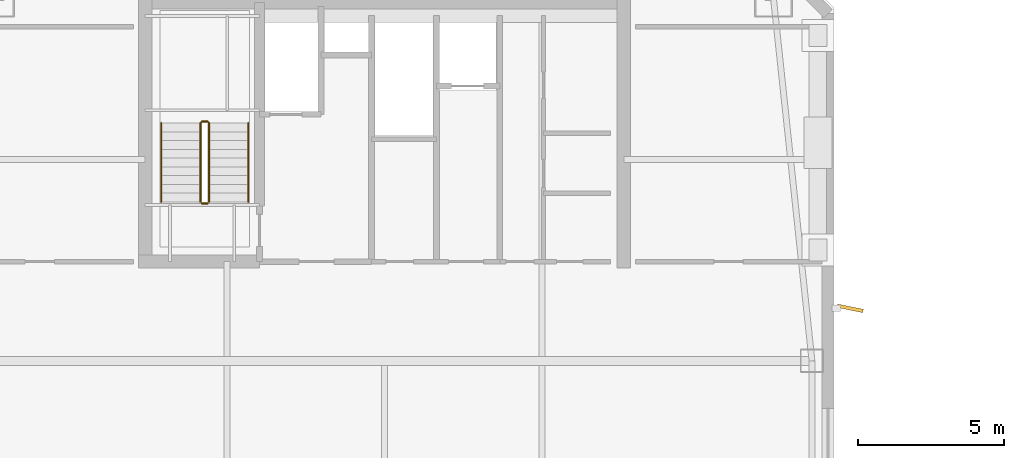
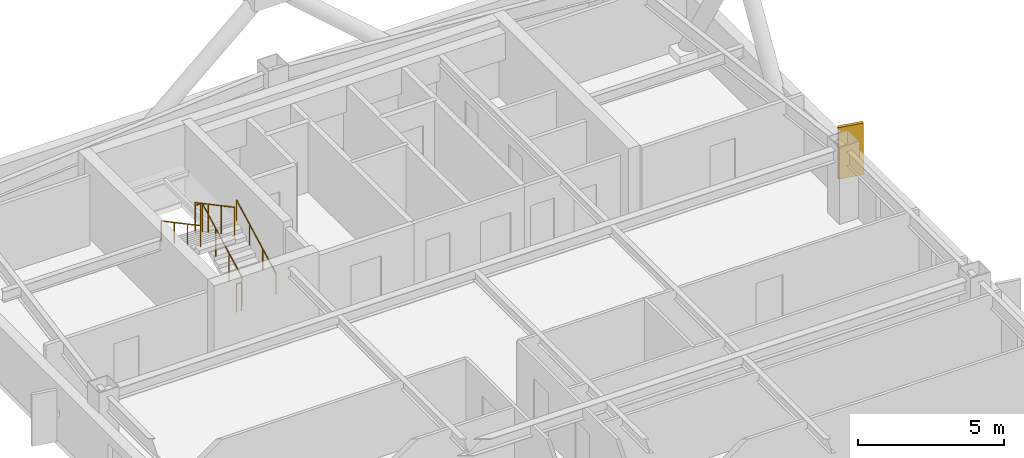
# One storey, part 16 of 18: 6 railings, 1 shading device.
"""IFC4 building model written with IfcOpenShell, lengths in metres."""

import ifcopenshell
import ifcopenshell.guid

model = None  # the IFC model being written
_history = None  # IfcOwnerHistory: only IFC2X3 demands one
_inside = {}  # id of a spatial element -> (the spatial element, [elements in it])
_under = {}  # id of a project, library or spatial element -> (it, [spatial elements below it])
_declared = {}  # id of a project -> (the project, [libraries it declares])
_typed = {}  # id of a type object -> (the type object, [elements of that type])
_made_of = {}  # id of a material, layer set ... -> (it, [elements and type objects made of it])


def new_model(schema):
    """Start an empty IFC model of exactly this schema.

    Asked for "IFC4X3", IfcOpenShell would pick the latest addendum, in which some entities
    have other attributes; the version numbers below select the first issue.
    IFC2X3 requires an IfcOwnerHistory on every rooted entity: one is made here for all.
    """
    global model, _history
    if schema == "IFC4X3":
        model = ifcopenshell.file(schema_version=(4, 3, 0, 0))
    else:
        model = ifcopenshell.file(schema=schema)
    _inside.clear()
    _under.clear()
    _declared.clear()
    _typed.clear()
    _made_of.clear()
    _history = None
    if model.schema == "IFC2X3":
        org = make("IfcOrganization", Name="unknown")
        user = make(
            "IfcPersonAndOrganization",
            ThePerson=make("IfcPerson", FamilyName="unknown"),
            TheOrganization=org,
        )
        app = make(
            "IfcApplication",
            ApplicationDeveloper=org,
            Version="unknown",
            ApplicationFullName="unknown",
            ApplicationIdentifier="unknown",
        )
        _history = make(
            "IfcOwnerHistory",
            OwningUser=user,
            OwningApplication=app,
            ChangeAction="ADDED",
            CreationDate=0,
        )
    return model


def make(cls, **values):
    """One entity of the class cls with the attributes given. An attribute that is None is left unset."""
    return model.create_entity(
        cls, **{name: value for name, value in values.items() if value is not None}
    )


def rooted(cls, **values):
    """An entity with a GlobalId (a new one), such as an element, a storey or a relation."""
    return make(cls, GlobalId=ifcopenshell.guid.new(), OwnerHistory=_history, **values)


def si_unit(unit_type, name, prefix=None):
    """IfcSIUnit, for example si_unit("LENGTHUNIT", "METRE", prefix="MILLI")."""
    return make("IfcSIUnit", UnitType=unit_type, Prefix=prefix, Name=name)


def assignment(units):
    """IfcUnitAssignment: the units of a project."""
    return None if units is None else make("IfcUnitAssignment", Units=units)


def point(xyz):
    """IfcCartesianPoint."""
    return None if xyz is None else make("IfcCartesianPoint", Coordinates=xyz)


def direction(xyz):
    """IfcDirection."""
    return None if xyz is None else make("IfcDirection", DirectionRatios=xyz)


def frame(location, z_axis=None, x_axis=None):
    """IfcAxis2Placement3D, a coordinate frame: its origin and axes. An axis left out is left unset."""
    return make(
        "IfcAxis2Placement3D",
        Location=point(location),
        Axis=direction(z_axis),
        RefDirection=direction(x_axis),
    )


def frame_2d(location, x_axis=None):
    """IfcAxis2Placement2D, a coordinate frame in the plane: its origin and x axis."""
    return make(
        "IfcAxis2Placement2D", Location=point(location), RefDirection=direction(x_axis)
    )


def origin():
    """The frame at (0, 0, 0) with its axes left unset."""
    return frame((0.0, 0.0, 0.0))


def origin_2d():
    """The frame at (0, 0) in the plane with its x axis left unset."""
    return frame_2d((0.0, 0.0))


def place(relative_to, where):
    """IfcLocalPlacement: puts the frame where relative to a parent placement (None: the world)."""
    return make(
        "IfcLocalPlacement", PlacementRelTo=relative_to, RelativePlacement=where
    )


def context(
    kind, dimensions, precision=None, world=None, true_north=None, identifier=None
):
    """IfcGeometricRepresentationContext, for example the 3D "Model" context."""
    return make(
        "IfcGeometricRepresentationContext",
        ContextIdentifier=identifier,
        ContextType=kind,
        CoordinateSpaceDimension=dimensions,
        Precision=precision,
        WorldCoordinateSystem=world,
        TrueNorth=true_north,
    )


def subcontext(parent, identifier, kind, view, scale=None):
    """IfcGeometricRepresentationSubContext, for example "Body" below "Model"."""
    return make(
        "IfcGeometricRepresentationSubContext",
        ContextIdentifier=identifier,
        ContextType=kind,
        ParentContext=parent,
        TargetScale=scale,
        TargetView=view,
    )


def project(units=None, contexts=None):
    """IfcProject with its units and contexts."""
    return rooted(
        "IfcProject",
        Name="project",
        RepresentationContexts=contexts,
        UnitsInContext=assignment(units),
    )


def spatial(cls, under=None, at=None, **own):
    """A site, building, storey or space (cls), placed at a placement, below another one or the project."""
    s = rooted(cls, ObjectPlacement=at, **own)
    if under is not None:
        _under.setdefault(under.id(), (under, []))[1].append(s)
    return s


def profile(cls, at=None, kind="AREA", **sizes):
    """A parametric profile (cls). Its sizes go by their IFC names, for example OverallWidth=200.0."""
    return make(cls, ProfileType=kind, Position=at, **sizes)


def rectangle(**sizes):
    """IfcRectangleProfileDef."""
    return profile("IfcRectangleProfileDef", **sizes)


def circle(**sizes):
    """IfcCircleProfileDef."""
    return profile("IfcCircleProfileDef", **sizes)


def extrude(swept, where, along, depth):
    """IfcExtrudedAreaSolid: the profile swept, set in the frame where, extruded along a direction by depth."""
    return make(
        "IfcExtrudedAreaSolid",
        SweptArea=swept,
        Position=where,
        ExtrudedDirection=direction(along),
        Depth=depth,
    )


def shape(context_of_items, identifier, shape_type, items):
    """IfcShapeRepresentation: the items that make up one representation, for example the "Body"."""
    return make(
        "IfcShapeRepresentation",
        ContextOfItems=context_of_items,
        RepresentationIdentifier=identifier,
        RepresentationType=shape_type,
        Items=items,
    )


def material(Name=None, Category=None):
    """IfcMaterial."""
    return make("IfcMaterial", Name=Name, Category=Category)


def layer(
    of_material, thickness, ventilated=None, Name=None, Category=None, Priority=None
):
    """IfcMaterialLayer: one layer of a wall or slab, of a material (None: an air gap)."""
    return make(
        "IfcMaterialLayer",
        Material=of_material,
        LayerThickness=thickness,
        IsVentilated=ventilated,
        Name=Name,
        Category=Category,
        Priority=Priority,
    )


def layer_set(layers, Name=None):
    """IfcMaterialLayerSet."""
    return make("IfcMaterialLayerSet", MaterialLayers=layers, LayerSetName=Name)


def made_of(thing, what):
    """Note that an element or type object is made of a material, layer set ...; save() writes the relation."""
    if what is not None:
        _made_of.setdefault(what.id(), (what, []))[1].append(thing)
    return thing


def type_object(cls, material=None, **own):
    """A type object (cls), such as IfcWallType, which elements share."""
    return made_of(rooted(cls, **own), material)


def element(
    cls,
    number,
    at=None,
    inside=None,
    cuts=None,
    type_object=None,
    material=None,
    context=None,
    identifier="Body",
    shape_type=None,
    held_by="IfcProductDefinitionShape",
    body=None,
    shapes=None,
    **own,
):
    """One element of the class cls, such as IfcWall. Its Tag is "e" and its number.

    at: its placement. inside: the storey or other place that contains it. cuts: it is an
    opening in that element (IfcRelVoidsElement). A single representation is given by context,
    identifier, shape_type and body (its items); several are given by shapes. held_by: the class
    of the entity that holds the representations. save() writes the other relations.
    """
    e = rooted(cls, Tag="e%d" % number, ObjectPlacement=at, **own)
    if body is not None:
        shapes = [shape(context, identifier, shape_type, body)]
    if shapes is not None:
        e.Representation = make(held_by, Representations=shapes)
    if inside is not None:
        _inside.setdefault(inside.id(), (inside, []))[1].append(e)
    if cuts is not None:
        rooted(
            "IfcRelVoidsElement", RelatingBuildingElement=cuts, RelatedOpeningElement=e
        )
    if type_object is not None:
        _typed.setdefault(type_object.id(), (type_object, []))[1].append(e)
    return made_of(e, material)


def aggregate(whole, parts):
    """IfcRelAggregates: a whole, such as a stair, and the parts it consists of."""
    return rooted("IfcRelAggregates", RelatingObject=whole, RelatedObjects=parts)


def save(model, path):
    """Write the relations noted so far, then the file.

    IfcRelAggregates (storeys below a building ...), IfcRelContainedInSpatialStructure (elements
    in a storey), IfcRelDefinesByType, IfcRelAssociatesMaterial and IfcRelDeclares: one each for
    every whole, place, type object, material and project.
    """
    for whole, parts in _under.values():
        aggregate(whole, parts)
    for where, things in _inside.values():
        rooted(
            "IfcRelContainedInSpatialStructure",
            RelatedElements=things,
            RelatingStructure=where,
        )
    for kind, things in _typed.values():
        rooted("IfcRelDefinesByType", RelatedObjects=things, RelatingType=kind)
    for what, things in _made_of.values():
        rooted("IfcRelAssociatesMaterial", RelatedObjects=things, RelatingMaterial=what)
    for by, libraries in _declared.values():
        rooted("IfcRelDeclares", RelatingContext=by, RelatedDefinitions=libraries)
    model.write(path)


model = new_model("IFC4")

# Units and contexts
model_context = context("Model", 3, precision=1e-05, world=origin(), true_north=direction((0.0, 1.0)))
body_context = subcontext(model_context, "Body", "Model", "MODEL_VIEW")
ifc_project = project(units=[si_unit("LENGTHUNIT", "METRE"), si_unit("AREAUNIT", "SQUARE_METRE"), si_unit("VOLUMEUNIT", "CUBIC_METRE"), si_unit("PLANEANGLEUNIT", "RADIAN"), si_unit("MASSUNIT", "GRAM", prefix="KILO")], contexts=[model_context])

# Site, building, storey
site_placement = place(None, origin())
site = spatial("IfcSite", under=ifc_project, at=site_placement, CompositionType="ELEMENT")
building_placement = place(site_placement, origin())
building = spatial("IfcBuilding", under=site, at=building_placement, Name="Qiaolan Cultural Towers", CompositionType="ELEMENT")
storey_placement = place(building_placement, frame((0.0, 0.0, 237.60009765625)))
storey = spatial("IfcBuildingStorey", under=building, at=storey_placement, Name="L64", CompositionType="ELEMENT", Elevation=237.60009765625)

# Railings
ifc_material_1 = material(Name="Galvanized Painted Steel Stair Guardrail", Category="steel")
railing_type_1 = type_object("IfcRailingType", Name="RL-STAIR-GRD", PredefinedType="GUARDRAIL", material=ifc_material_1)
railing_1_placement = place(storey_placement, frame((23.989990234375, 48.449951171875, 0.159912109375)))
element("IfcRailing", 1, at=railing_1_placement, inside=storey, type_object=railing_type_1, Name="L64 ST-W2 stair guard 1", PredefinedType="GUARDRAIL", context=body_context, shape_type="SweptSolid", body=[
    extrude(circle(Radius=0.02392578125, at=origin_2d()), frame((0.0, 0.0, 1.17578125), z_axis=(0.0, 0.882357358376, 0.470579952952), x_axis=(-1.0, 0.0, 0.0)), (0.0, 0.0, 1.0), 3.059814453125),
    extrude(circle(Radius=0.02099609375, at=origin_2d()), origin(), (0.0, 0.0, 1.0), 1.15185546875),
    extrude(circle(Radius=0.02099609375, at=origin_2d()), frame((0.0, 0.89990234375, 0.47998046875)), (0.0, 0.0, 1.0), 1.15185546875),
    extrude(circle(Radius=0.02099609375, at=origin_2d()), frame((0.0, 1.800048828125, 0.9599609375)), (0.0, 0.0, 1.0), 1.15185546875),
    extrude(circle(Radius=0.02099609375, at=origin_2d()), frame((0.0, 2.699951171875, 1.43994140625)), (0.0, 0.0, 1.0), 1.15185546875),
])
railing_2_placement = place(storey_placement, frame((23.93994140625, 51.199951171875, 1.599853515625)))
element("IfcRailing", 2, at=railing_2_placement, inside=storey, type_object=railing_type_1, Name="L64 ST-W2 stair guard 2", PredefinedType="GUARDRAIL", context=body_context, shape_type="SweptSolid", body=[
    extrude(circle(Radius=0.02392578125, at=origin_2d()), frame((0.0, 0.0, 1.17578125), z_axis=(-1.0, 0.0, 0.0), x_axis=(0.0, -1.0, 0.0)), (0.0, 0.0, 1.0), 0.199951171875),
    extrude(circle(Radius=0.02099609375, at=origin_2d()), origin(), (0.0, 0.0, 1.0), 1.15185546875),
    extrude(circle(Radius=0.02099609375, at=origin_2d()), frame((-0.199951171875, 0.0, 0.0)), (0.0, 0.0, 1.0), 1.15185546875),
])
railing_3_placement = place(storey_placement, frame((23.68994140625, 51.14990234375, 1.760009765625)))
element("IfcRailing", 3, at=railing_3_placement, inside=storey, type_object=railing_type_1, Name="L64 ST-W2 stair guard 3", PredefinedType="GUARDRAIL", context=body_context, shape_type="SweptSolid", body=[
    extrude(circle(Radius=0.02392578125, at=origin_2d()), frame((0.0, 0.0, 1.17578125), z_axis=(0.0, -0.882357358376, 0.470579952952), x_axis=(1.0, 0.0, 0.0)), (0.0, 0.0, 1.0), 3.059814453125),
    extrude(circle(Radius=0.02099609375, at=origin_2d()), origin(), (0.0, 0.0, 1.0), 1.15185546875),
    extrude(circle(Radius=0.02099609375, at=origin_2d()), frame((0.0, -0.89990234375, 0.47998046875)), (0.0, 0.0, 1.0), 1.15185546875),
    extrude(circle(Radius=0.02099609375, at=origin_2d()), frame((0.0, -1.800048828125, 0.9599609375)), (0.0, 0.0, 1.0), 1.15185546875),
    extrude(circle(Radius=0.02099609375, at=origin_2d()), frame((0.0, -2.699951171875, 1.43994140625)), (0.0, 0.0, 1.0), 1.15185546875),
])
railing_4_placement = place(storey_placement, frame((23.93994140625, 48.39990234375, 0.0)))
element("IfcRailing", 4, at=railing_4_placement, inside=storey, type_object=railing_type_1, Name="L64 ST-W2 stair guard 4", PredefinedType="GUARDRAIL", context=body_context, shape_type="SweptSolid", body=[
    extrude(circle(Radius=0.02392578125, at=origin_2d()), frame((0.0, 0.0, 1.17578125), z_axis=(-1.0, 0.0, 0.0), x_axis=(0.0, -1.0, 0.0)), (0.0, 0.0, 1.0), 0.199951171875),
    extrude(circle(Radius=0.02099609375, at=origin_2d()), origin(), (0.0, 0.0, 1.0), 1.15185546875),
    extrude(circle(Radius=0.02099609375, at=origin_2d()), frame((-0.199951171875, 0.0, 0.0)), (0.0, 0.0, 1.0), 1.15185546875),
])
ifc_material_2 = material(Name="Stainless Steel S30408 Tubular Handrail", Category="steel")
railing_type_2 = type_object("IfcRailingType", Name="RL-STAIR-HR", PredefinedType="HANDRAIL", material=ifc_material_2)
railing_5_placement = place(storey_placement, frame((25.330078125, 48.449951171875, 0.159912109375)))
element("IfcRailing", 5, at=railing_5_placement, inside=storey, type_object=railing_type_2, Name="L64 ST-W2 stair handrail 1", PredefinedType="HANDRAIL", context=body_context, shape_type="SweptSolid", body=[
    extrude(circle(Radius=0.02392578125, at=origin_2d()), frame((0.0, 0.0, 0.8759765625), z_axis=(0.0, 0.882357358376, 0.470579952952), x_axis=(-1.0, 0.0, 0.0)), (0.0, 0.0, 1.0), 3.059814453125),
    extrude(circle(Radius=0.02099609375, at=origin_2d()), origin(), (0.0, 0.0, 1.0), 0.851806640625),
    extrude(circle(Radius=0.02099609375, at=origin_2d()), frame((0.0, 0.89990234375, 0.47998046875)), (0.0, 0.0, 1.0), 0.851806640625),
    extrude(circle(Radius=0.02099609375, at=origin_2d()), frame((0.0, 1.800048828125, 0.9599609375)), (0.0, 0.0, 1.0), 0.851806640625),
    extrude(circle(Radius=0.02099609375, at=origin_2d()), frame((0.0, 2.699951171875, 1.43994140625)), (0.0, 0.0, 1.0), 0.851806640625),
])
railing_6_placement = place(storey_placement, frame((22.35009765625, 51.14990234375, 1.760009765625)))
element("IfcRailing", 6, at=railing_6_placement, inside=storey, type_object=railing_type_2, Name="L64 ST-W2 stair handrail 2", PredefinedType="HANDRAIL", context=body_context, shape_type="SweptSolid", body=[
    extrude(circle(Radius=0.02392578125, at=origin_2d()), frame((0.0, 0.0, 0.8759765625), z_axis=(0.0, -0.882357358376, 0.470579952952), x_axis=(1.0, 0.0, 0.0)), (0.0, 0.0, 1.0), 3.059814453125),
    extrude(circle(Radius=0.02099609375, at=origin_2d()), origin(), (0.0, 0.0, 1.0), 0.851806640625),
    extrude(circle(Radius=0.02099609375, at=origin_2d()), frame((0.0, -0.89990234375, 0.47998046875)), (0.0, 0.0, 1.0), 0.851806640625),
    extrude(circle(Radius=0.02099609375, at=origin_2d()), frame((0.0, -1.800048828125, 0.9599609375)), (0.0, 0.0, 1.0), 0.851806640625),
    extrude(circle(Radius=0.02099609375, at=origin_2d()), frame((0.0, -2.699951171875, 1.43994140625)), (0.0, 0.0, 1.0), 0.851806640625),
])

# Shading device
ifc_material_3 = material(Name="Light Limestone Precast Vertical Fin", Category="masonry")
ifc_layer = layer(ifc_material_3, 0.1201171875)
ifc_layer_set = layer_set([ifc_layer], Name="Light Limestone Precast Vertical Fin")
shading_device_type = type_object("IfcShadingDeviceType", Name="SHD-FIN-WHITE", PredefinedType="USERDEFINED", material=ifc_layer_set)
shading_device_placement = place(storey_placement, frame((45.9599609375, 44.800048828125, 0.10009765625), z_axis=(0.0, 0.0, 1.0), x_axis=(0.979957166978, -0.19920831029, 0.0)))
element("IfcShadingDevice", 7, at=shading_device_placement, inside=storey, type_object=shading_device_type, Name="L64 T1 Expressive Precast Vertical Fin E3", ObjectType="FIN", PredefinedType="USERDEFINED", context=body_context, shape_type="SweptSolid", body=[
    extrude(rectangle(XDim=0.89990234375, YDim=0.1201171875, at=origin_2d()), origin(), (0.0, 0.0, 1.0), 2.159912109375),
])

save(model, "model.ifc")
